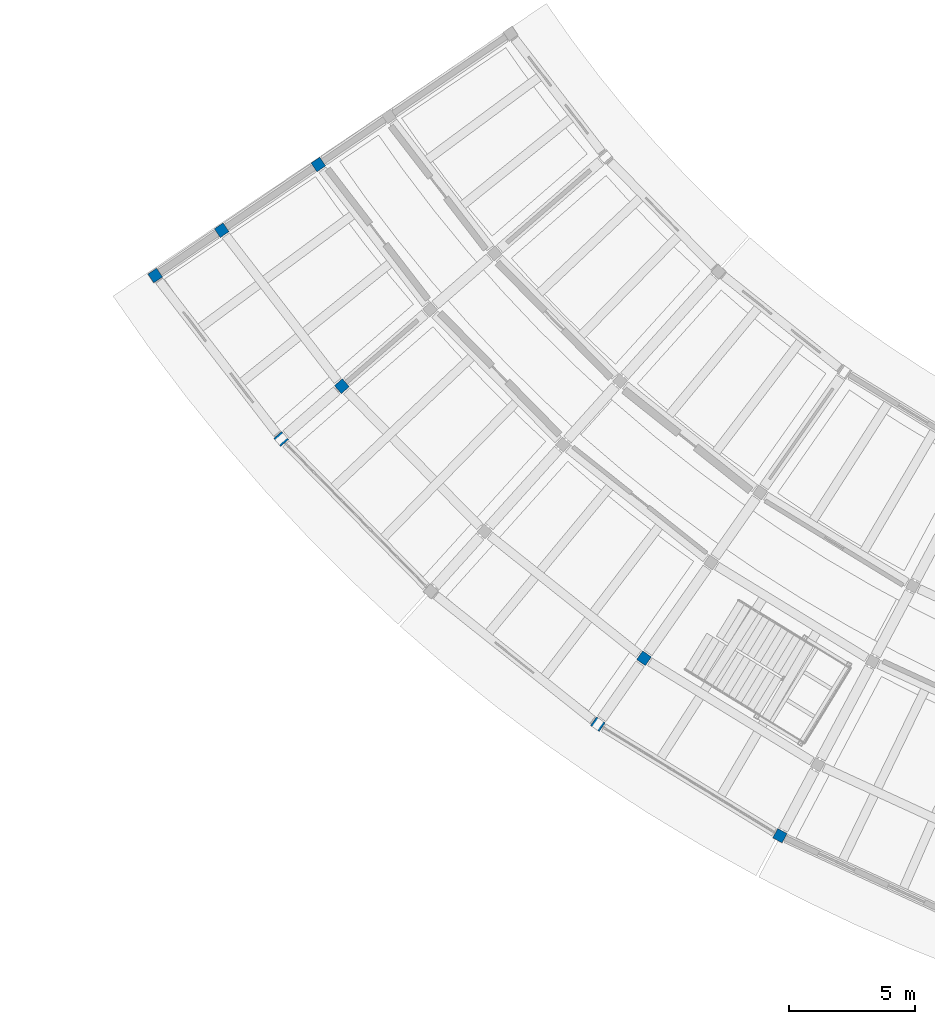
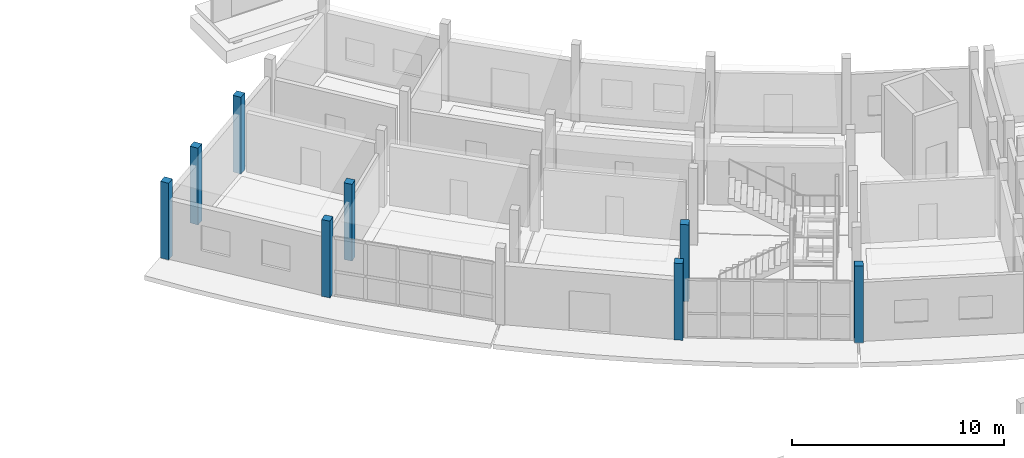
# One storey, part 5 of 92: 8 columns.
"""IFC4 building model written with IfcOpenShell, lengths in metres."""

from ifc_helpers import new_model, si_unit, direction, frame, origin, origin_2d, place, context, subcontext, project, spatial, rectangle, extrude, material, material_profile, profile_set, type_object, element, save


model = new_model("IFC4")

# Units and contexts
model_context = context("Model", 3, precision=1e-05, world=origin(), true_north=direction((0.0, 1.0)))
body_context = subcontext(model_context, "Body", "Model", "MODEL_VIEW")
ifc_project = project(units=[si_unit("LENGTHUNIT", "METRE"), si_unit("AREAUNIT", "SQUARE_METRE"), si_unit("VOLUMEUNIT", "CUBIC_METRE"), si_unit("PLANEANGLEUNIT", "RADIAN"), si_unit("MASSUNIT", "GRAM", prefix="KILO")], contexts=[model_context])

# Site, building, storey
site_placement = place(None, origin())
site = spatial("IfcSite", under=ifc_project, at=site_placement, CompositionType="ELEMENT")
building_placement = place(site_placement, origin())
building = spatial("IfcBuilding", under=site, at=building_placement, Name="Caldaven Crescent School", CompositionType="ELEMENT")
storey_placement = place(building_placement, origin())
storey = spatial("IfcBuildingStorey", under=building, at=storey_placement, Name="L00", CompositionType="ELEMENT", Elevation=0.0)

# Columns
ifc_material = material(Name="Glulam MLE24h (GL28h)", Category="wood")
ifc_material_profile = material_profile(ifc_material, rectangle(XDim=0.419921875, YDim=0.419921875, at=origin_2d()), Name="MLE 420x420")
ifc_profile_set = profile_set([ifc_material_profile], Name="Glulam MLE24h (GL28h)")
column_type = type_object("IfcColumnType", Name="COL-GL42", PredefinedType="COLUMN", material=ifc_profile_set)
for number, where, z_axis, x_axis, name in (
    (1, (36.990234375, 61.288330078125, 0.0), (0.0, 0.0, 1.0), (-0.826786154745, -0.562516359159, 0.0), "COL-V4W-L00-00-2"),
    (2, (33.14599609375, 58.67236328125, 0.0), (0.0, 0.0, 1.0), (-0.826786154745, -0.562516359159, 0.0), "COL-V4W-L00-00-3"),
    (3, (30.500244140625, 56.8720703125, 0.0), (0.0, 0.0, 1.0), (-0.826786154745, -0.562516359159, 0.0), "COL-V4W-L00-00-4"),
    (4, (37.925048828125, 52.470458984375, 0.0), (0.0, 0.0, 1.0), (-0.754709580223, -0.656059028991, 0.0), "COL-V4W-L00-01-3"),
    (5, (35.510009765625, 50.37109375, 0.0), (0.0, 0.0, 1.0), (-0.754709580223, -0.656059028991, 0.0), "COL-V4W-L00-01-4"),
    (6, (49.943115234375, 41.649169921875, 0.0), (0.0, 0.0, 1.0), (-0.573576436351, -0.819152044289, 0.0), "COL-V4W-L00-03-3"),
    (7, (48.107666015625, 39.028076171875, 0.0), (0.0, 0.0, 1.0), (-0.573576436351, -0.819152044289, 0.0), "COL-V4W-L00-03-4"),
    (8, (55.34814453125, 34.591064453125, 0.0), (0.0, 0.0, 1.0), (-0.469471562786, -0.882947592859, 0.0), "COL-V4W-L00-04-4"),
):
    element("IfcColumn", number, at=place(storey_placement, frame(where, z_axis=z_axis, x_axis=x_axis)), inside=storey, type_object=column_type, Name=name, PredefinedType="COLUMN", context=body_context, shape_type="SweptSolid", body=[
        extrude(rectangle(XDim=0.419921875, YDim=0.419921875, at=origin_2d()), origin(), (0.0, 0.0, 1.0), 4.419921875),
    ])

save(model, "model.ifc")
